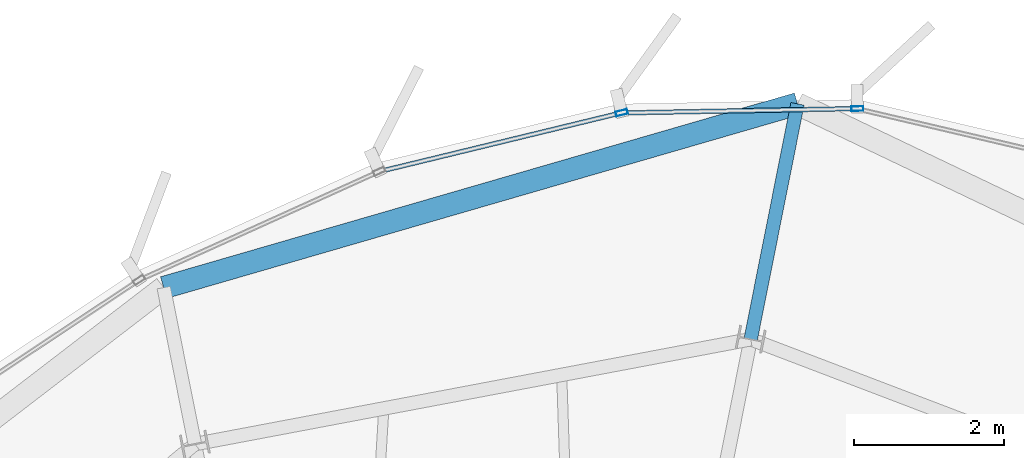
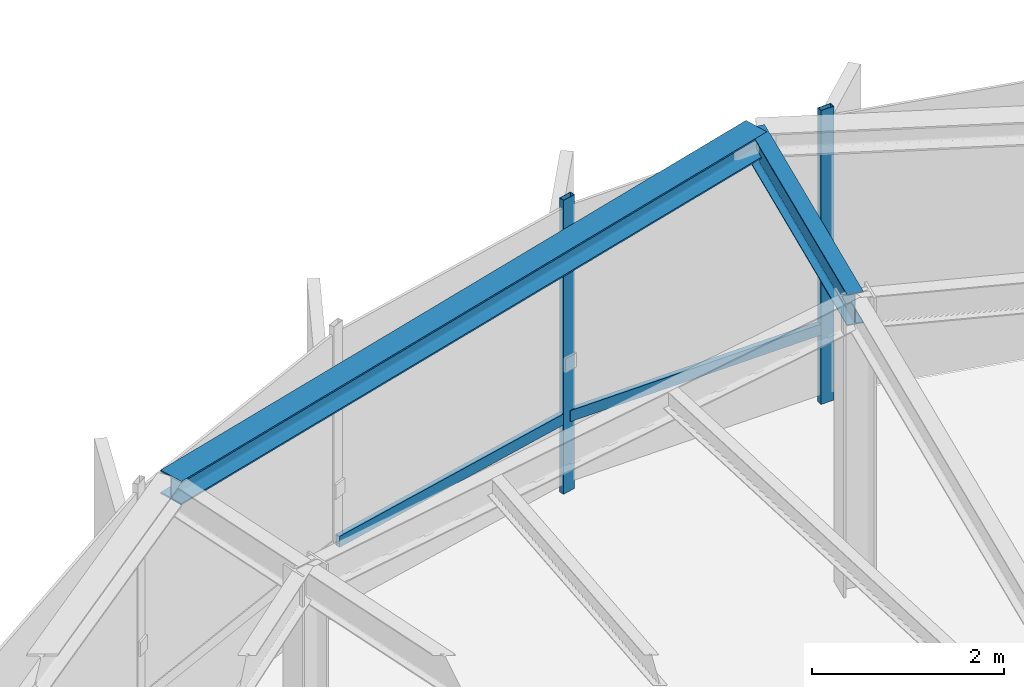
# One storey, part 18 of 27: 4 members, 2 beams, 1 element without a shape of its own.
"""IFC4 building model written with IfcOpenShell, lengths in metres."""

from ifc_helpers import new_model, si_unit, direction, frame, origin, origin_2d, place, context, subcontext, project, spatial, hollow_rectangle, i_section, extrude, source, transform, mapped, material, layer, layer_set, material_profile, profile_set, type_object, element, aggregate, save


model = new_model("IFC4")

# Units and contexts
model_context = context("Model", 3, precision=1e-05, world=origin(), true_north=direction((0.0, 1.0)))
body_context = subcontext(model_context, "Body", "Model", "MODEL_VIEW")
ifc_project = project(units=[si_unit("LENGTHUNIT", "METRE"), si_unit("AREAUNIT", "SQUARE_METRE"), si_unit("VOLUMEUNIT", "CUBIC_METRE"), si_unit("PLANEANGLEUNIT", "RADIAN"), si_unit("MASSUNIT", "GRAM", prefix="KILO"), si_unit("THERMODYNAMICTEMPERATUREUNIT", "KELVIN")], contexts=[model_context])

# Site, building, storey
site_placement = place(None, origin())
site = spatial("IfcSite", under=ifc_project, at=site_placement, CompositionType="ELEMENT")
building_placement = place(site_placement, origin())
building = spatial("IfcBuilding", under=site, at=building_placement, Name="Kethvar Cultural Tower", CompositionType="ELEMENT")
storey_placement = place(building_placement, frame((0.0, 0.0, 312.300048828125)))
storey = spatial("IfcBuildingStorey", under=building, at=storey_placement, Name="L83", CompositionType="ELEMENT", Elevation=312.300048828125)

# Beams
ifc_material_1 = material(Name="Steel S355J2", Category="steel")
ifc_material_profile_1 = material_profile(ifc_material_1, i_section(OverallWidth=0.179931640625, OverallDepth=0.39990234375, WebThickness=0.008544921875, FlangeThickness=0.013427734375, FilletRadius=0.02099609375, at=origin_2d()), Name="Steel S355J2 — IPE400")
ifc_profile_set_1 = profile_set([ifc_material_profile_1], Name="Steel S355J2 — IPE400")
beam_type_1 = type_object("IfcBeamType", Name="BM-IPE400", PredefinedType="BEAM", material=ifc_profile_set_1)
shared_shape_1 = source(origin(), body_context, "Body", "SweptSolid", [
    extrude(i_section(OverallWidth=0.179931640625, OverallDepth=0.39990234375, WebThickness=0.008544921875, FlangeThickness=0.013427734375, FilletRadius=0.02099609375, at=origin_2d()), origin(), (0.0, 0.0, 1.0), 3.199951171875),
])
beam_1_placement = place(storey_placement, frame((50.645263671875, 47.131591796875, 3.532958984375), z_axis=(0.195088965533, 0.980785550224, 0.0), x_axis=(-0.980785550224, 0.195088965533, 0.0)))
element("IfcBeam", 1, at=beam_1_placement, inside=storey, type_object=beam_type_1, Name="L83 Perimeter Cantilever Beam RC-04", PredefinedType="BEAM", context=body_context, shape_type="MappedRepresentation", body=[
    mapped(shared_shape_1, transform((0.0, 0.0, 0.0), scale=1.0)),
])
ifc_material_profile_2 = material_profile(ifc_material_1, i_section(OverallWidth=0.300048828125, OverallDepth=0.300048828125, WebThickness=0.010986328125, FlangeThickness=0.01904296875, FilletRadius=0.027099609375, at=origin_2d()), Name="Steel S355J2 — HEB300")
ifc_profile_set_2 = profile_set([ifc_material_profile_2], Name="Steel S355J2 — HEB300")
beam_type_2 = type_object("IfcBeamType", Name="BM-SP300", PredefinedType="SPANDREL", material=ifc_profile_set_2)
shared_shape_2 = source(origin(), body_context, "Body", "SweptSolid", [
    extrude(i_section(OverallWidth=0.300048828125, OverallDepth=0.300048828125, WebThickness=0.010986328125, FlangeThickness=0.01904296875, FilletRadius=0.027099609375, at=origin_2d()), origin(), (0.0, 0.0, 1.0), 8.7998046875),
])
beam_2_placement = place(storey_placement, frame((51.26953125, 50.27001953125, 3.5830078125), z_axis=(-0.960470021481, -0.278383436712, 0.0), x_axis=(0.278383436712, -0.960470021481, 0.0)))
element("IfcBeam", 2, at=beam_2_placement, inside=storey, type_object=beam_type_2, Name="L83 Perimeter Spandrel Beam SP-04", PredefinedType="SPANDREL", context=body_context, shape_type="MappedRepresentation", body=[
    mapped(shared_shape_2, transform((0.0, 0.0, 0.0), scale=1.0)),
])

# Curtain wall, members
ifc_material_2 = material(Name="Aluminium 6063-T6", Category="aluminium")
ifc_layer = layer(ifc_material_2, 0.179931640625, Name="Aluminium 6063-T6", Category="aluminium")
ifc_layer_set = layer_set([ifc_layer], Name="Aluminium 6063-T6 (180 mm)")
curtain_wall_type = type_object("IfcCurtainWallType", Name="CW-SYS-06-CROWN", PredefinedType="NOTDEFINED", material=ifc_layer_set)
curtain_wall_placement = place(storey_placement, origin())
curtain_wall = element("IfcCurtainWall", 3, at=curtain_wall_placement, inside=storey, type_object=curtain_wall_type, Name="L83 Curtain Wall Run 01", PredefinedType="NOTDEFINED")
ifc_material_profile_3 = material_profile(ifc_material_2, hollow_rectangle(XDim=0.06494140625, YDim=0.159912109375, WallThickness=0.0048828125, at=origin_2d()), Name="Aluminium 6063-T6 — RHS160x65x5")
ifc_profile_set_3 = profile_set([ifc_material_profile_3], Name="Aluminium 6063-T6 — RHS160x65x5")
member_type_1 = type_object("IfcMemberType", Name="CW-SYS-06-CROWN-MUL", PredefinedType="MULLION", material=ifc_profile_set_3)
shared_shape_3 = source(origin(), body_context, "Body", "SweptSolid", [
    extrude(hollow_rectangle(XDim=0.06494140625, YDim=0.159912109375, WallThickness=0.0048828125, at=origin_2d()), origin(), (0.0, 0.0, 1.0), 3.73486328125),
])
member_1_placement = place(storey_placement, frame((52.068115234375, 50.20703125, 0.0), z_axis=(0.0, 0.0, 1.0), x_axis=(0.018516885037, -0.999828547786, 0.0)))
member_1 = element("IfcMember", 4, at=member_1_placement, type_object=member_type_1, Name="CW-L83-R01 Mullion 2", PredefinedType="MULLION", context=body_context, shape_type="MappedRepresentation", body=[
    mapped(shared_shape_3, transform((0.0, 0.0, 0.0), scale=1.0)),
])
member_2_placement = place(storey_placement, frame((48.92431640625, 50.151611328125, 0.0), z_axis=(0.0, 0.0, 1.0), x_axis=(0.235820612531, -0.971796603568, 0.0)))
member_2 = element("IfcMember", 5, at=member_2_placement, type_object=member_type_1, Name="CW-L83-R01 Mullion 3", PredefinedType="MULLION", context=body_context, shape_type="MappedRepresentation", body=[
    mapped(shared_shape_3, transform((0.0, 0.0, 0.0), scale=1.0)),
])
ifc_material_profile_4 = material_profile(ifc_material_2, hollow_rectangle(XDim=0.06005859375, YDim=0.139892578125, WallThickness=0.0048828125, at=origin_2d()), Name="Aluminium 6063-T6 — RHS140x60x5")
ifc_profile_set_4 = profile_set([ifc_material_profile_4], Name="Aluminium 6063-T6 — RHS140x60x5")
member_type_2 = type_object("IfcMemberType", Name="CW-SYS-06-CROWN-TRN", PredefinedType="USERDEFINED", material=ifc_profile_set_4)
shared_shape_4 = source(origin(), body_context, "Body", "SweptSolid", [
    extrude(hollow_rectangle(XDim=0.06005859375, YDim=0.139892578125, WallThickness=0.0048828125, at=origin_2d()), origin(), (0.0, 0.0, 1.0), 3.076904296875),
])
member_3_placement = place(storey_placement, frame((52.021240234375, 50.206298828125, 0.949951171875), z_axis=(-0.999827622971, -0.018566753732, 0.0), x_axis=(0.018566753732, -0.999827622971, 0.0)))
member_3 = element("IfcMember", 6, at=member_3_placement, type_object=member_type_2, Name="CW-L83-R01 Transom 2", ObjectType="TRANSOM", PredefinedType="USERDEFINED", context=body_context, shape_type="MappedRepresentation", body=[
    mapped(shared_shape_4, transform((0.0, 0.0, 0.0), scale=1.0)),
])
shared_shape_5 = source(origin(), body_context, "Body", "SweptSolid", [
    extrude(hollow_rectangle(XDim=0.06005859375, YDim=0.139892578125, WallThickness=0.0048828125, at=origin_2d()), origin(), (0.0, 0.0, 1.0), 3.25244140625),
])
member_4_placement = place(storey_placement, frame((48.878662109375, 50.140625, 0.949951171875), z_axis=(-0.971788614557, -0.235853532129, 0.0), x_axis=(0.235853532129, -0.971788614557, 0.0)))
member_4 = element("IfcMember", 7, at=member_4_placement, type_object=member_type_2, Name="CW-L83-R01 Transom 3", ObjectType="TRANSOM", PredefinedType="USERDEFINED", context=body_context, shape_type="MappedRepresentation", body=[
    mapped(shared_shape_5, transform((0.0, 0.0, 0.0), scale=1.0)),
])
aggregate(curtain_wall, [member_1, member_2, member_3, member_4])

save(model, "model.ifc")
